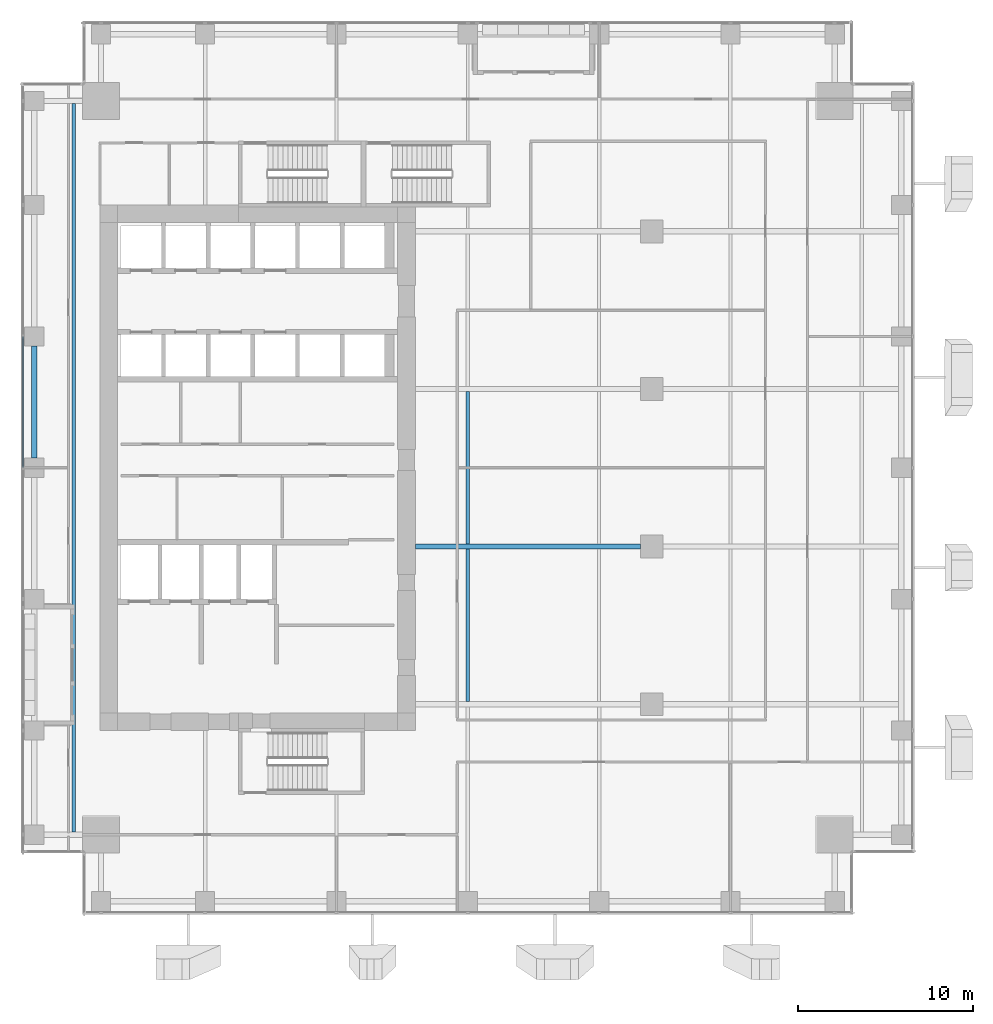
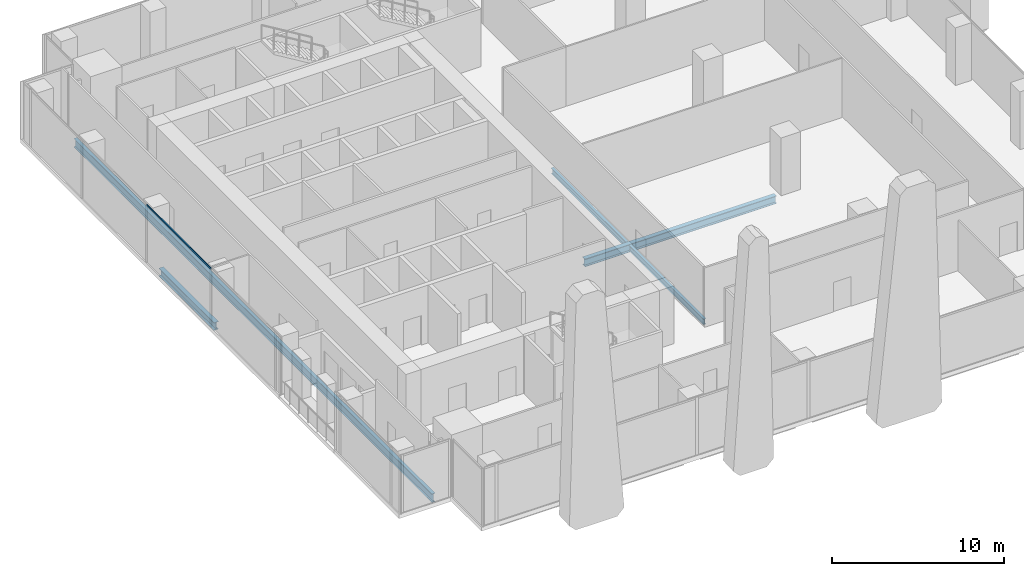
# One storey, part 8 of 35: 5 beams, 1 member, 1 element without a shape of its own.
"""IFC4 building model written with IfcOpenShell, lengths in metres."""

from ifc_helpers import new_model, si_unit, direction, frame, origin, origin_2d, place, context, subcontext, project, spatial, hollow_rectangle, i_section, extrude, source, transform, mapped, material, material_profile, profile_set, type_object, element, aggregate, save


model = new_model("IFC4")

# Units and contexts
model_context = context("Model", 3, precision=1e-05, world=origin(), true_north=direction((0.0, 1.0)))
body_context = subcontext(model_context, "Body", "Model", "MODEL_VIEW")
ifc_project = project(units=[si_unit("LENGTHUNIT", "METRE"), si_unit("AREAUNIT", "SQUARE_METRE"), si_unit("VOLUMEUNIT", "CUBIC_METRE"), si_unit("PLANEANGLEUNIT", "RADIAN"), si_unit("MASSUNIT", "GRAM", prefix="KILO")], contexts=[model_context])

# Site, building, storey
site_placement = place(None, origin())
site = spatial("IfcSite", under=ifc_project, at=site_placement, CompositionType="ELEMENT")
building_placement = place(site_placement, origin())
building = spatial("IfcBuilding", under=site, at=building_placement, Name="Khomas Fold Tower", CompositionType="ELEMENT")
storey_placement = place(building_placement, frame((0.0, 0.0, 119.10009765625)))
storey = spatial("IfcBuildingStorey", under=building, at=storey_placement, Name="L25", CompositionType="ELEMENT", Elevation=119.10009765625)

# Beams
ifc_material_1 = material(Name="Steel S355", Category="steel")
ifc_material_profile_1 = material_profile(ifc_material_1, i_section(OverallWidth=0.179931640625, OverallDepth=0.39990234375, WebThickness=0.008544921875, FlangeThickness=0.013427734375, at=origin_2d()), Name="IPE 400")
ifc_profile_set_1 = profile_set([ifc_material_profile_1], Name="Steel S355")
beam_type_1 = type_object("IfcBeamType", Name="IPE 400 beam JB3", PredefinedType="BEAM", material=ifc_profile_set_1)
shared_shape_1 = source(origin(), body_context, "Body", "SweptSolid", [
    extrude(i_section(OverallWidth=0.179931640625, OverallDepth=0.39990234375, WebThickness=0.008544921875, FlangeThickness=0.013427734375, at=origin_2d()), origin(), (0.0, 0.0, 1.0), 8.7001953125),
])
for number, where, z_axis, x_axis, name in (
    (1, (27.0, 13.64990234375, -0.5), (0.0, 1.0, 0.0), (-1.0, 0.0, 0.0), "JB3"),
    (2, (27.0, 22.64990234375, -0.5), (0.0, 1.0, 0.0), (-1.0, 0.0, 0.0), "JB3"),
):
    element("IfcBeam", number, at=place(storey_placement, frame(where, z_axis=z_axis, x_axis=x_axis)), inside=storey, type_object=beam_type_1, Name=name, PredefinedType="BEAM", context=body_context, shape_type="MappedRepresentation", body=[
        mapped(shared_shape_1, transform((0.0, 0.0, 0.0))),
    ])
ifc_material_2 = material(Name="Steel S355", Category="steel")
ifc_material_profile_2 = material_profile(ifc_material_2, i_section(OverallWidth=0.300048828125, OverallDepth=0.550048828125, WebThickness=0.014892578125, FlangeThickness=0.029052734375, at=origin_2d()), Name="HE 550 B")
ifc_profile_set_2 = profile_set([ifc_material_profile_2], Name="Steel S355")
beam_type_2 = type_object("IfcBeamType", Name="HE 550 B spandrel SB2", PredefinedType="SPANDREL", material=ifc_profile_set_2)
shared_shape_2 = source(origin(), body_context, "Body", "SweptSolid", [
    extrude(i_section(OverallWidth=0.300048828125, OverallDepth=0.550048828125, WebThickness=0.014892578125, FlangeThickness=0.029052734375, at=origin_2d()), origin(), (0.0, 0.0, 1.0), 6.39990234375),
])
beam_1_placement = place(storey_placement, frame((2.25, 27.550048828125, -0.5751953125), z_axis=(0.0, 1.0, 0.0), x_axis=(-1.0, 0.0, 0.0)))
element("IfcBeam", 3, at=beam_1_placement, inside=storey, type_object=beam_type_2, Name="SB2", PredefinedType="SPANDREL", context=body_context, shape_type="MappedRepresentation", body=[
    mapped(shared_shape_2, transform((0.0, 0.0, 0.0))),
])
ifc_material_3 = material(Name="Steel S355", Category="steel")
ifc_material_profile_3 = material_profile(ifc_material_3, i_section(OverallWidth=0.300048828125, OverallDepth=0.550048828125, WebThickness=0.014892578125, FlangeThickness=0.029052734375, at=origin_2d()), Name="HE 550 B")
ifc_profile_set_3 = profile_set([ifc_material_profile_3], Name="Steel S355")
beam_type_3 = type_object("IfcBeamType", Name="HE 550 B beam GB4", PredefinedType="BEAM", material=ifc_profile_set_3)
shared_shape_3 = source(origin(), body_context, "Body", "SweptSolid", [
    extrude(i_section(OverallWidth=0.300048828125, OverallDepth=0.550048828125, WebThickness=0.014892578125, FlangeThickness=0.029052734375, at=origin_2d()), origin(), (0.0, 0.0, 1.0), 12.85009765625),
])
beam_2_placement = place(storey_placement, frame((24.0, 22.5, -0.5751953125), z_axis=(1.0, 0.0, 0.0), x_axis=(0.0, 1.0, 0.0)))
element("IfcBeam", 4, at=beam_2_placement, inside=storey, type_object=beam_type_3, Name="GB4", PredefinedType="BEAM", context=body_context, shape_type="MappedRepresentation", body=[
    mapped(shared_shape_3, transform((0.0, 0.0, 0.0))),
])
ifc_material_4 = material(Name="Steel S355", Category="steel")
ifc_material_profile_4 = material_profile(ifc_material_4, i_section(OverallWidth=0.219970703125, OverallDepth=0.60009765625, WebThickness=0.011962890625, FlangeThickness=0.01904296875, at=origin_2d()), Name="IPE 600")
ifc_profile_set_4 = profile_set([ifc_material_profile_4], Name="Steel S355")
beam_type_4 = type_object("IfcBeamType", Name="IPE 600 beam JB7", PredefinedType="BEAM", material=ifc_profile_set_4)
shared_shape_4 = source(origin(), body_context, "Body", "SweptSolid", [
    extrude(i_section(OverallWidth=0.219970703125, OverallDepth=0.60009765625, WebThickness=0.011962890625, FlangeThickness=0.01904296875, at=origin_2d()), origin(), (0.0, 0.0, 1.0), 41.60009765625),
])
beam_3_placement = place(storey_placement, frame((4.5, 6.199951171875, -0.60009765625), z_axis=(0.0, 1.0, 0.0), x_axis=(-1.0, 0.0, 0.0)))
element("IfcBeam", 5, at=beam_3_placement, inside=storey, type_object=beam_type_4, Name="JB7", PredefinedType="BEAM", context=body_context, shape_type="MappedRepresentation", body=[
    mapped(shared_shape_4, transform((0.0, 0.0, 0.0))),
])

# Curtain wall, member
ifc_material_5 = material(Name="Aluminium framed double glazing", Category="aluminium")
curtain_wall_type = type_object("IfcCurtainWallType", Name="SK-Unitised clear-glass wall, growing floors CW1", PredefinedType="NOTDEFINED", material=ifc_material_5)
curtain_wall_placement = place(storey_placement, origin())
curtain_wall = element("IfcCurtainWall", 6, at=curtain_wall_placement, inside=storey, type_object=curtain_wall_type, Name="CW1 run L25 09-0", PredefinedType="NOTDEFINED")
ifc_material_6 = material(Name="Aluminium", Category="aluminium")
ifc_material_profile_5 = material_profile(ifc_material_6, hollow_rectangle(XDim=0.06005859375, YDim=0.1201171875, WallThickness=0.00390625, at=origin_2d()), Name="SK-Unitised clear-glass wall, growing floors transom CW1-T")
ifc_profile_set_5 = profile_set([ifc_material_profile_5], Name="Aluminium")
member_type = type_object("IfcMemberType", Name="SK-Unitised clear-glass wall, growing floors transom CW1-T", PredefinedType="USERDEFINED", material=ifc_profile_set_5)
shared_shape_5 = source(origin(), body_context, "Body", "SweptSolid", [
    extrude(hollow_rectangle(XDim=0.06005859375, YDim=0.1201171875, WallThickness=0.00390625, at=origin_2d()), origin(), (0.0, 0.0, 1.0), 7.43994140625),
])
member_placement = place(storey_placement, frame((1.60009765625, 34.469970703125, 4.039794921875), z_axis=(0.0, -1.0, 0.0), x_axis=(1.0, 0.0, 0.0)))
member = element("IfcMember", 7, at=member_placement, type_object=member_type, Name="CW1 transom 4", ObjectType="TRANSOM", PredefinedType="USERDEFINED", context=body_context, shape_type="MappedRepresentation", body=[
    mapped(shared_shape_5, transform((0.0, 0.0, 0.0))),
])
aggregate(curtain_wall, [member])

save(model, "model.ifc")
